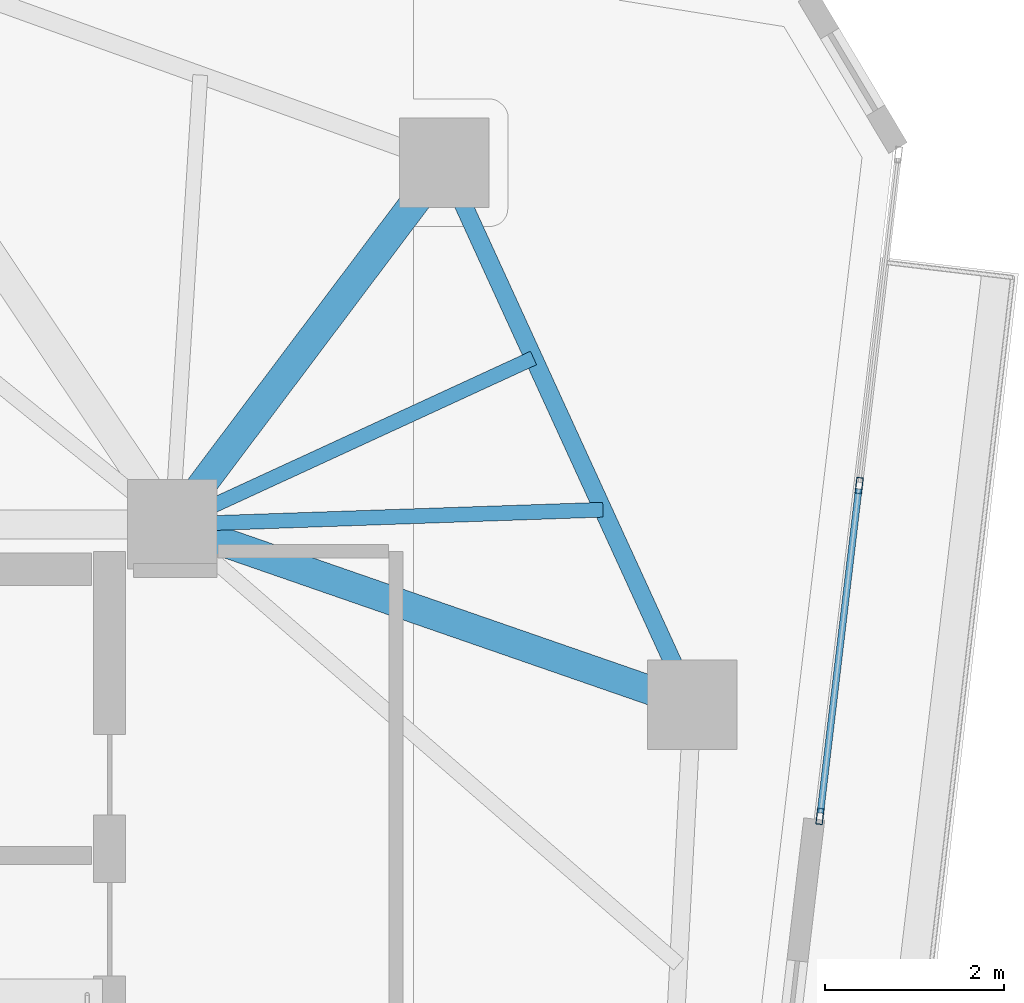
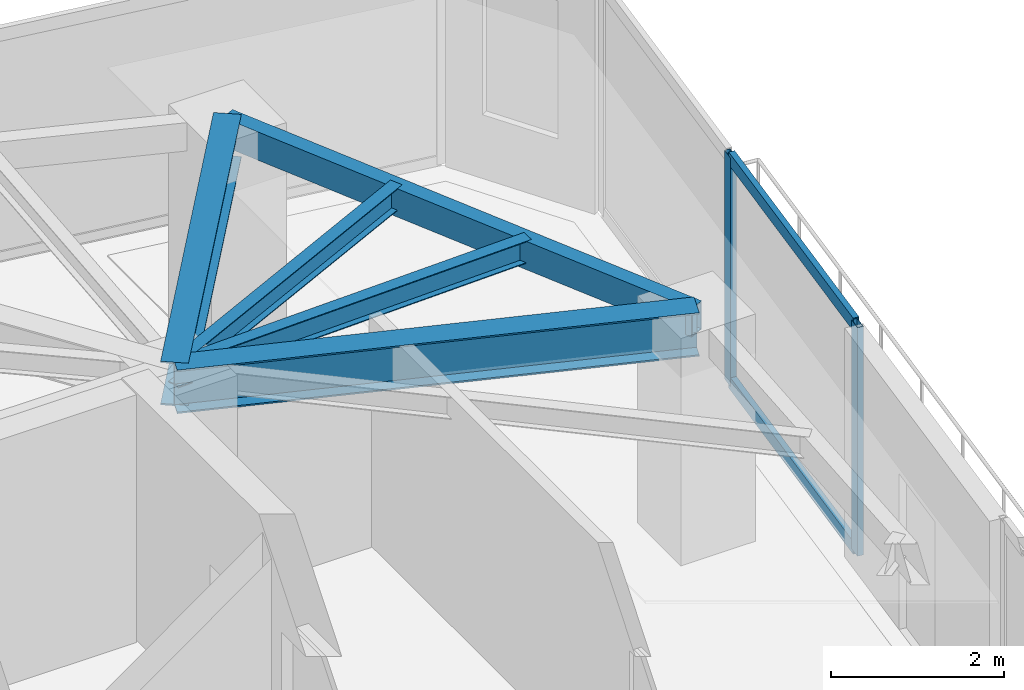
# One storey, part 13 of 22: 5 beams, 4 members, 1 element without a shape of its own.
"""IFC4 building model written with IfcOpenShell, lengths in metres."""

from ifc_helpers import new_model, si_unit, direction, frame, origin, origin_2d, place, context, subcontext, project, spatial, hollow_rectangle, i_section, extrude, source, transform, mapped, material, layer, layer_set, material_profile, profile_set, type_object, type_shapes, element, aggregate, save


model = new_model("IFC4")

# Units and contexts
model_context = context("Model", 3, precision=1e-05, world=origin(), true_north=direction((0.0, 1.0)))
body_context = subcontext(model_context, "Body", "Model", "MODEL_VIEW")
ifc_project = project(units=[si_unit("LENGTHUNIT", "METRE"), si_unit("AREAUNIT", "SQUARE_METRE"), si_unit("VOLUMEUNIT", "CUBIC_METRE"), si_unit("PLANEANGLEUNIT", "RADIAN"), si_unit("MASSUNIT", "GRAM", prefix="KILO")], contexts=[model_context])

# Site, building, storey
site_placement = place(None, origin())
site = spatial("IfcSite", under=ifc_project, at=site_placement, CompositionType="ELEMENT")
building_placement = place(site_placement, origin())
building = spatial("IfcBuilding", under=site, at=building_placement, Name="Talar Marvaseh", CompositionType="ELEMENT")
storey_placement = place(building_placement, frame((0.0, 0.0, 208.199951171875)))
storey = spatial("IfcBuildingStorey", under=building, at=storey_placement, Name="L54", CompositionType="ELEMENT", Elevation=208.199951171875)

# Beams
ifc_material_1 = material(Name="Steel S355", Category="steel")
ifc_material_profile_1 = material_profile(ifc_material_1, hollow_rectangle(XDim=0.199951171875, YDim=0.39990234375, WallThickness=0.013916015625, at=origin_2d()), Name="RHS400x200x14")
ifc_profile_set_1 = profile_set([ifc_material_profile_1], Name="Steel S355")
beam_type_1 = type_object("IfcBeamType", Name="Zone 3 Perimeter Spandrel Beam RHS400x200x14", PredefinedType="SPANDREL", material=ifc_profile_set_1)
beam_1_placement = place(storey_placement, frame((36.341064453125, 40.94189453125, 3.030029296875), z_axis=(0.416090570719, -0.909323175202, 0.0), x_axis=(0.909323175202, 0.416090570719, 0.0)))
element("IfcBeam", 1, at=beam_1_placement, inside=storey, type_object=beam_type_1, Name="L54 Zone 3 Perimeter Spandrel Beam RHS400x200x14", PredefinedType="SPANDREL", context=body_context, shape_type="SweptSolid", body=[
    extrude(hollow_rectangle(XDim=0.199951171875, YDim=0.39990234375, WallThickness=0.013916015625, at=origin_2d()), origin(), (0.0, 0.0, 1.0), 6.661865234375),
])
ifc_material_profile_2 = material_profile(ifc_material_1, i_section(OverallWidth=0.324951171875, OverallDepth=0.615966796875, WebThickness=0.013916015625, FlangeThickness=0.021484375, at=origin_2d()), Name="W610x174")
ifc_profile_set_2 = profile_set([ifc_material_profile_2], Name="Steel S355")
beam_type_2 = type_object("IfcBeamType", Name="Zone 3 Radial Floor Girder W610x174", PredefinedType="BEAM", material=ifc_profile_set_2)
beam_2_placement = place(storey_placement, frame((36.341064453125, 40.94189453125, 2.922119140625), z_axis=(-0.601204044541, -0.799095549247, 0.0), x_axis=(0.799095549247, -0.601204044541, 0.0)))
element("IfcBeam", 2, at=beam_2_placement, inside=storey, type_object=beam_type_2, Name="L54 Zone 3 Radial Floor Girder W610x174", PredefinedType="BEAM", context=body_context, shape_type="SweptSolid", body=[
    extrude(i_section(OverallWidth=0.324951171875, OverallDepth=0.615966796875, WebThickness=0.013916015625, FlangeThickness=0.021484375, at=origin_2d()), origin(), (0.0, 0.0, 1.0), 5.05810546875),
])
beam_3_placement = place(storey_placement, frame((39.113037109375, 34.884033203125, 2.922119140625), z_axis=(-0.94480098975, 0.327644761544, 0.0), x_axis=(-0.327644761544, -0.94480098975, 0.0)))
element("IfcBeam", 3, at=beam_3_placement, inside=storey, type_object=beam_type_2, Name="L54 Zone 3 Radial Floor Girder W610x174", PredefinedType="BEAM", context=body_context, shape_type="SweptSolid", body=[
    extrude(i_section(OverallWidth=0.324951171875, OverallDepth=0.615966796875, WebThickness=0.013916015625, FlangeThickness=0.021484375, at=origin_2d()), origin(), (0.0, 0.0, 1.0), 6.152587890625),
])
ifc_material_profile_3 = material_profile(ifc_material_1, i_section(OverallWidth=0.166015625, OverallDepth=0.31298828125, WebThickness=0.006591796875, FlangeThickness=0.01123046875, at=origin_2d()), Name="W310x45")
ifc_profile_set_3 = profile_set([ifc_material_profile_3], Name="Steel S355")
beam_type_3 = type_object("IfcBeamType", Name="Zone 3 Secondary Floor Joist W310x45", PredefinedType="JOIST", material=ifc_profile_set_3)
beam_4_placement = place(storey_placement, frame((37.3388671875, 38.760986328125, 3.073486328125), z_axis=(-0.908214702737, -0.418504544458, 0.0), x_axis=(0.418504544458, -0.908214702737, 0.0)))
element("IfcBeam", 4, at=beam_4_placement, inside=storey, type_object=beam_type_3, Name="L54 Zone 3 Secondary Floor Joist W310x45", PredefinedType="JOIST", context=body_context, shape_type="SweptSolid", body=[
    extrude(i_section(OverallWidth=0.166015625, OverallDepth=0.31298828125, WebThickness=0.006591796875, FlangeThickness=0.01123046875, at=origin_2d()), origin(), (0.0, 0.0, 1.0), 4.447021484375),
])
beam_5_placement = place(storey_placement, frame((38.114990234375, 37.06494140625, 3.073486328125), z_axis=(-0.999413079861, -0.034256325017, 0.0), x_axis=(0.034256325017, -0.999413079861, 0.0)))
element("IfcBeam", 5, at=beam_5_placement, inside=storey, type_object=beam_type_3, Name="L54 Zone 3 Secondary Floor Joist W310x45", PredefinedType="JOIST", context=body_context, shape_type="SweptSolid", body=[
    extrude(i_section(OverallWidth=0.166015625, OverallDepth=0.31298828125, WebThickness=0.006591796875, FlangeThickness=0.01123046875, at=origin_2d()), origin(), (0.0, 0.0, 1.0), 4.81787109375),
])

# Curtain wall, members
ifc_material_2 = material(Name="Architectural Aluminium", Category="aluminium")
ifc_layer = layer(ifc_material_2, 0.18994140625)
ifc_layer_set = layer_set([ifc_layer], Name="Architectural Aluminium")
curtain_wall_type = type_object("IfcCurtainWallType", Name="Unitised Solar Atelier Curtain Wall Z3", PredefinedType="NOTDEFINED", material=ifc_layer_set)
curtain_wall_placement = place(storey_placement, origin())
curtain_wall = element("IfcCurtainWall", 6, at=curtain_wall_placement, inside=storey, type_object=curtain_wall_type, Name="L54 Unitised Solar Atelier Curtain Wall Z3", PredefinedType="NOTDEFINED")
ifc_material_profile_4 = material_profile(ifc_material_2, hollow_rectangle(XDim=0.074951171875, YDim=0.179931640625, WallThickness=0.0048828125, at=origin_2d()), Name="RHS180x75x5")
ifc_profile_set_4 = profile_set([ifc_material_profile_4], Name="Architectural Aluminium")
member_type_1 = type_object("IfcMemberType", Name="Unitised Curtain Wall Standard Mullion RHS180x75x5", PredefinedType="MULLION", material=ifc_profile_set_4)
shared_shape_1 = source(origin(), body_context, "Body", "SweptSolid", [
    extrude(hollow_rectangle(XDim=0.074951171875, YDim=0.179931640625, WallThickness=0.0048828125, at=origin_2d()), origin(), (0.0, 0.0, 1.0), 3.22998046875),
])
type_shapes(member_type_1, [shared_shape_1])
member_1_placement = place(storey_placement, frame((40.978759765625, 37.3349609375, 0.0), z_axis=(0.0, 0.0, 1.0), x_axis=(0.993050517361, -0.117688869355, 0.0)))
member_1 = element("IfcMember", 7, at=member_1_placement, type_object=member_type_1, Name="CW-Z3 mullion 2", PredefinedType="MULLION", context=body_context, shape_type="MappedRepresentation", body=[
    mapped(shared_shape_1, transform((0.0, 0.0, 0.0), x_axis=(1.0, 0.0, 0.0), y_axis=(0.0, 1.0, 0.0), z_axis=(0.0, 0.0, 1.0), scale=1.0)),
])
member_2_placement = place(storey_placement, frame((40.54052734375, 33.63720703125, 0.0), z_axis=(0.0, 0.0, 1.0), x_axis=(0.993050517361, -0.117688869355, 0.0)))
member_2 = element("IfcMember", 8, at=member_2_placement, type_object=member_type_1, Name="CW-Z3 mullion 3", PredefinedType="MULLION", context=body_context, shape_type="MappedRepresentation", body=[
    mapped(shared_shape_1, transform((0.0, 0.0, 0.0), x_axis=(1.0, 0.0, 0.0), y_axis=(0.0, 1.0, 0.0), z_axis=(0.0, 0.0, 1.0), scale=1.0)),
])
ifc_material_profile_5 = material_profile(ifc_material_2, hollow_rectangle(XDim=0.074951171875, YDim=0.179931640625, WallThickness=0.0048828125, at=origin_2d()), Name="RHS180x75x5")
ifc_profile_set_5 = profile_set([ifc_material_profile_5], Name="Architectural Aluminium")
member_type_2 = type_object("IfcMemberType", Name="Unitised Curtain Wall Transom RHS180x75x5", PredefinedType="USERDEFINED", material=ifc_profile_set_5)
shared_shape_2 = source(origin(), body_context, "Body", "SweptSolid", [
    extrude(hollow_rectangle(XDim=0.074951171875, YDim=0.179931640625, WallThickness=0.0048828125, at=origin_2d()), origin(), (0.0, 0.0, 1.0), 3.648681640625),
])
type_shapes(member_type_2, [shared_shape_2])
member_3_placement = place(storey_placement, frame((40.974365234375, 37.2978515625, 0.03759765625), z_axis=(-0.117699191972, -0.993049293947, 0.0), x_axis=(0.993049293947, -0.117699191972, 0.0)))
member_3 = element("IfcMember", 9, at=member_3_placement, type_object=member_type_2, Name="CW-Z3 transom 2.1", ObjectType="TRANSOM", PredefinedType="USERDEFINED", context=body_context, shape_type="MappedRepresentation", body=[
    mapped(shared_shape_2, transform((0.0, 0.0, 0.0), x_axis=(1.0, 0.0, 0.0), y_axis=(0.0, 1.0, 0.0), z_axis=(0.0, 0.0, 1.0), scale=1.0)),
])
member_4_placement = place(storey_placement, frame((40.974365234375, 37.2978515625, 3.192626953125), z_axis=(-0.117699191972, -0.993049293947, 0.0), x_axis=(0.993049293947, -0.117699191972, 0.0)))
member_4 = element("IfcMember", 10, at=member_4_placement, type_object=member_type_2, Name="CW-Z3 transom 2.2", ObjectType="TRANSOM", PredefinedType="USERDEFINED", context=body_context, shape_type="MappedRepresentation", body=[
    mapped(shared_shape_2, transform((0.0, 0.0, 0.0), x_axis=(1.0, 0.0, 0.0), y_axis=(0.0, 1.0, 0.0), z_axis=(0.0, 0.0, 1.0), scale=1.0)),
])
aggregate(curtain_wall, [member_1, member_2, member_3, member_4])

save(model, "model.ifc")
